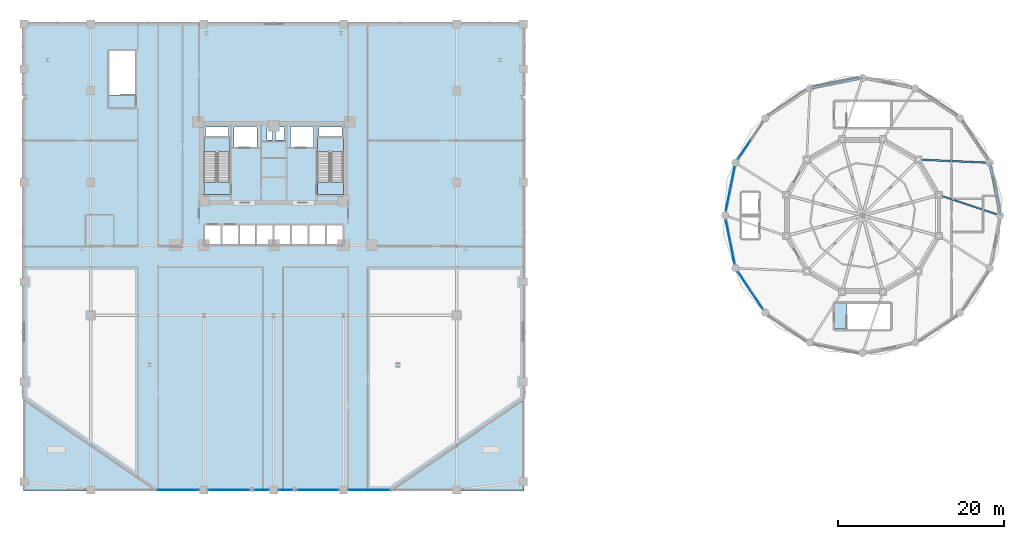
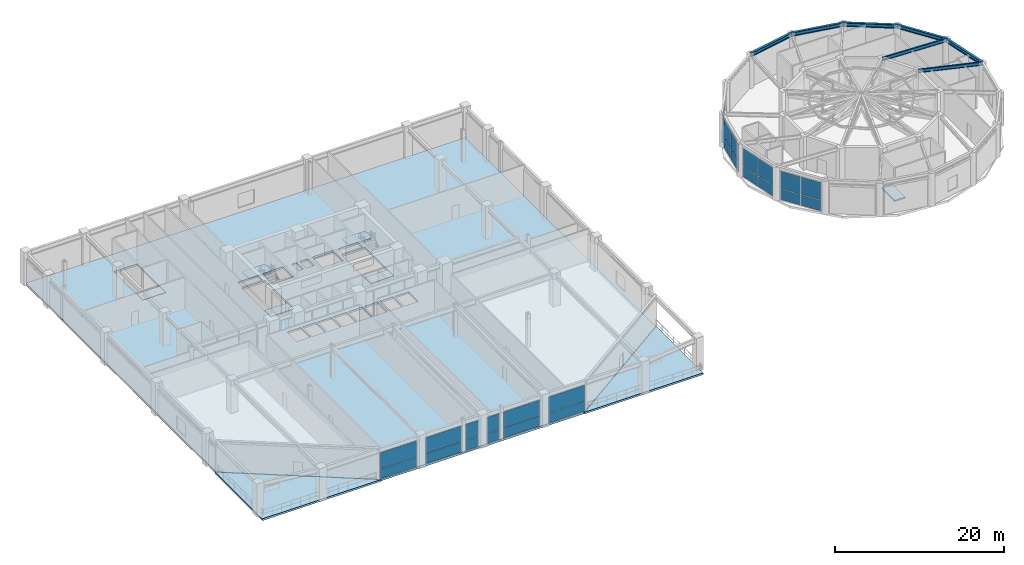
# One storey, part 13 of 26: 26 plates, 9 slabs, 7 beams, 12 elements without a shape of their own.
"""IFC4 building model written with IfcOpenShell, lengths in metres."""

from ifc_helpers import new_model, si_unit, derived_unit, direction, frame, origin, origin_2d, place, context, subcontext, project, spatial, polyline, rectangle, i_section, outline, extrude, source, transform, mapped, material, layer, layer_set, material_profile, profile_set, type_object, element, aggregate, save


model = new_model("IFC4")

# Units and contexts
model_context = context("Model", 3, precision=1e-05, world=origin(), true_north=direction((0.0, 1.0)))
body_context = subcontext(model_context, "Body", "Model", "MODEL_VIEW")
ifc_project = project(units=[si_unit("LENGTHUNIT", "METRE"), si_unit("AREAUNIT", "SQUARE_METRE"), si_unit("VOLUMEUNIT", "CUBIC_METRE"), si_unit("PLANEANGLEUNIT", "RADIAN"), si_unit("MASSUNIT", "GRAM", prefix="KILO"), derived_unit("THERMALTRANSMITTANCEUNIT", [(si_unit("POWERUNIT", "WATT"), 1), (si_unit("LENGTHUNIT", "METRE"), -2), (si_unit("THERMODYNAMICTEMPERATUREUNIT", "KELVIN"), -1)])], contexts=[model_context])

# Site, building, storey
site_placement = place(None, origin())
site = spatial("IfcSite", under=ifc_project, at=site_placement, CompositionType="ELEMENT")
building_placement = place(site_placement, origin())
building = spatial("IfcBuilding", under=site, at=building_placement, Name="Korsvarv Bourse and Concert Hall", CompositionType="ELEMENT")
storey_placement = place(building_placement, frame((0.0, 0.0, 19.199951171875)))
storey = spatial("IfcBuildingStorey", under=building, at=storey_placement, Name="L04", CompositionType="ELEMENT", Elevation=19.199951171875)

# Beams
ifc_material_1 = material(Name="Steel S355", Category="steel")
ifc_material_profile_1 = material_profile(ifc_material_1, i_section(OverallWidth=0.300048828125, OverallDepth=0.550048828125, WebThickness=0.014892578125, FlangeThickness=0.029052734375, FilletRadius=0.02392578125, at=origin_2d()), Name="HEB 550")
ifc_profile_set_1 = profile_set([ifc_material_profile_1], Name="Steel S355")
beam_type_1 = type_object("IfcBeamType", Name="BM-HEB550", PredefinedType="BEAM", material=ifc_profile_set_1)
shared_shape_1 = source(origin(), body_context, "Body", "SweptSolid", [
    extrude(i_section(OverallWidth=0.300048828125, OverallDepth=0.550048828125, WebThickness=0.014892578125, FlangeThickness=0.029052734375, FilletRadius=0.02392578125, at=origin_2d()), origin(), (0.0, 0.0, 1.0), 6.45751953125),
])
for number, where, z_axis, x_axis, name in (
    (1, (123.35009765625, 36.0, 4.525146484375), (-0.195119974887, 0.980779381615, 0.0), (-0.980779381615, -0.195119974887, 0.0), "L04 beam B-06"),
    (2, (106.800048828125, 52.550048828125, 4.525146484375), (-0.980786616034, -0.195083607229, 0.0), (0.195083607229, -0.980786616034, 0.0), "L04 beam B-06"),
):
    element("IfcBeam", number, at=place(storey_placement, frame(where, z_axis=z_axis, x_axis=x_axis)), inside=storey, type_object=beam_type_1, Name=name, PredefinedType="BEAM", context=body_context, shape_type="MappedRepresentation", body=[
        mapped(shared_shape_1, transform((0.0, 0.0, 0.0), scale=1.0)),
    ])
shared_shape_2 = source(origin(), body_context, "Body", "SweptSolid", [
    extrude(i_section(OverallWidth=0.300048828125, OverallDepth=0.550048828125, WebThickness=0.014892578125, FlangeThickness=0.029052734375, FilletRadius=0.02392578125, at=origin_2d()), origin(), (0.0, 0.0, 1.0), 6.457275390625),
])
for number, where, z_axis, x_axis, name in (
    (3, (122.090087890625, 42.33349609375, 4.525146484375), (-0.555554952257, 0.831479822379, 0.0), (-0.831479822379, -0.555554952257, 0.0), "L04 beam B-06"),
    (4, (113.13330078125, 51.290283203125, 4.525146484375), (-0.980785177113, 0.19509084129, 0.0), (-0.19509084129, -0.980785177113, 0.0), "L04 beam B-06"),
):
    element("IfcBeam", number, at=place(storey_placement, frame(where, z_axis=z_axis, x_axis=x_axis)), inside=storey, type_object=beam_type_1, Name=name, PredefinedType="BEAM", context=body_context, shape_type="MappedRepresentation", body=[
        mapped(shared_shape_2, transform((0.0, 0.0, 0.0), scale=1.0)),
    ])
shared_shape_3 = source(origin(), body_context, "Body", "SweptSolid", [
    extrude(i_section(OverallWidth=0.300048828125, OverallDepth=0.550048828125, WebThickness=0.014892578125, FlangeThickness=0.029052734375, FilletRadius=0.02392578125, at=origin_2d()), origin(), (0.0, 0.0, 1.0), 6.457763671875),
])
beam_1_placement = place(storey_placement, frame((118.502685546875, 47.70263671875, 4.525146484375), z_axis=(-0.831474026951, 0.555563625974, 0.0), x_axis=(-0.555563625974, -0.831474026951, 0.0)))
element("IfcBeam", 5, at=beam_1_placement, inside=storey, type_object=beam_type_1, Name="L04 beam B-06", PredefinedType="BEAM", context=body_context, shape_type="MappedRepresentation", body=[
    mapped(shared_shape_3, transform((0.0, 0.0, 0.0), scale=1.0)),
])
ifc_material_profile_2 = material_profile(ifc_material_1, i_section(OverallWidth=0.199951171875, OverallDepth=0.5, WebThickness=0.01025390625, FlangeThickness=0.01611328125, FilletRadius=0.02099609375, at=origin_2d()), Name="IPE 500")
ifc_profile_set_2 = profile_set([ifc_material_profile_2], Name="Steel S355")
beam_type_2 = type_object("IfcBeamType", Name="BM-IPE500", PredefinedType="JOIST", material=ifc_profile_set_2)
shared_shape_4 = source(origin(), body_context, "Body", "SweptSolid", [
    extrude(i_section(OverallWidth=0.199951171875, OverallDepth=0.5, WebThickness=0.01025390625, FlangeThickness=0.01611328125, FilletRadius=0.02099609375, at=origin_2d()), origin(), (0.0, 0.0, 1.0), 7.77294921875),
])
beam_2_placement = place(storey_placement, frame((115.976318359375, 38.458740234375, 4.550048828125), z_axis=(0.948651884177, -0.316321992039, 0.0), x_axis=(0.316321992039, 0.948651884177, 0.0)))
element("IfcBeam", 6, at=beam_2_placement, inside=storey, type_object=beam_type_2, Name="L04 beam J-03", PredefinedType="JOIST", context=body_context, shape_type="MappedRepresentation", body=[
    mapped(shared_shape_4, transform((0.0, 0.0, 0.0), scale=1.0)),
])
shared_shape_5 = source(origin(), body_context, "Body", "SweptSolid", [
    extrude(i_section(OverallWidth=0.199951171875, OverallDepth=0.5, WebThickness=0.01025390625, FlangeThickness=0.01611328125, FilletRadius=0.02099609375, at=origin_2d()), origin(), (0.0, 0.0, 1.0), 8.5810546875),
])
beam_3_placement = place(storey_placement, frame((113.517578125, 42.717529296875, 4.550048828125), z_axis=(0.998998067431, -0.044753338082, 0.0), x_axis=(0.044753338082, 0.998998067431, 0.0)))
element("IfcBeam", 7, at=beam_3_placement, inside=storey, type_object=beam_type_2, Name="L04 beam J-03", PredefinedType="JOIST", context=body_context, shape_type="MappedRepresentation", body=[
    mapped(shared_shape_5, transform((0.0, 0.0, 0.0), scale=1.0)),
])

# Slabs
ifc_material_2 = material(Name="Precast concrete C45/55", Category="concrete")
ifc_layer_1 = layer(ifc_material_2, 0.199951171875)
ifc_layer_set_1 = layer_set([ifc_layer_1], Name="Precast concrete C45/55")
slab_type_1 = type_object("IfcSlabType", Name="SLB-FLND-T", PredefinedType="LANDING", material=ifc_layer_set_1)
slab_1_placement = place(storey_placement, frame((0.0, 0.0, -0.199951171875)))
element("IfcSlab", 8, at=slab_1_placement, inside=storey, type_object=slab_type_1, Name="L04 Stair ST-T1 Floor Landing Slab", PredefinedType="LANDING", context=body_context, shape_type="SweptSolid", body=[
    extrude(outline(polyline([(30.760009765625, 38.5), (30.760009765625, 40.0), (27.60009765625, 40.0), (27.60009765625, 38.5), (30.760009765625, 38.5)])), origin(), (0.0, 0.0, 1.0), 0.199951171875),
])
slab_2_placement = place(storey_placement, frame((0.0, 0.0, -0.199951171875)))
element("IfcSlab", 9, at=slab_2_placement, inside=storey, type_object=slab_type_1, Name="L04 Stair ST-T2 Floor Landing Slab", PredefinedType="LANDING", context=body_context, shape_type="SweptSolid", body=[
    extrude(outline(polyline([(44.39990234375, 38.5), (44.39990234375, 40.0), (41.239990234375, 40.0), (41.239990234375, 38.5), (44.39990234375, 38.5)])), origin(), (0.0, 0.0, 1.0), 0.199951171875),
])
slab_3_placement = place(storey_placement, frame((0.0, 0.0, -0.199951171875)))
element("IfcSlab", 10, at=slab_3_placement, inside=storey, type_object=slab_type_1, Name="L04 Stair ST-PD1 Floor Landing Slab", PredefinedType="LANDING", context=body_context, shape_type="SweptSolid", body=[
    extrude(outline(polyline([(19.360107421875, 49.0), (19.360107421875, 50.5), (16.199951171875, 50.5), (16.199951171875, 49.0), (19.360107421875, 49.0)])), origin(), (0.0, 0.0, 1.0), 0.199951171875),
])
slab_4_placement = place(storey_placement, frame((0.0, 0.0, -0.199951171875)))
element("IfcSlab", 11, at=slab_4_placement, inside=storey, type_object=slab_type_1, Name="L04 Stair ST-CH2 Floor Landing Slab", PredefinedType="LANDING", context=body_context, shape_type="SweptSolid", body=[
    extrude(outline(polyline([(103.449951171875, 22.340087890625), (104.89990234375, 22.340087890625), (104.89990234375, 25.39990234375), (103.449951171875, 25.39990234375), (103.449951171875, 22.340087890625)])), origin(), (0.0, 0.0, 1.0), 0.199951171875),
])
ifc_material_3 = material(Name="Concrete C45/55", Category="concrete")
ifc_layer_2 = layer(ifc_material_3, 0.27001953125)
ifc_layer_set_2 = layer_set([ifc_layer_2], Name="Concrete C45/55")
slab_type_2 = type_object("IfcSlabType", Name="SLB-GDE", PredefinedType="FLOOR", material=ifc_layer_set_2)
slab_5_placement = place(storey_placement, frame((0.0, 0.0, -0.27001953125)))
element("IfcSlab", 12, at=slab_5_placement, inside=storey, type_object=slab_type_2, Name="L04 Raised Public Garden Terrace 1", PredefinedType="FLOOR", context=body_context, shape_type="SweptSolid", body=[
    extrude(outline(polyline([(5.89990234375, 14.10009765625), (5.989990234375, 14.10009765625), (5.989990234375, 14.0), (5.989990234375, 13.9990234375), (5.990234375, 13.998046875), (5.990478515625, 13.9970703125), (5.99072265625, 13.99609375), (5.9912109375, 13.995361328125), (5.99169921875, 13.994384765625), (5.9921875, 13.99365234375), (5.992919921875, 13.992919921875), (5.99365234375, 13.9921875), (5.994384765625, 13.99169921875), (21.994384765625, 2.99169921875), (21.9951171875, 2.9912109375), (21.99609375, 2.99072265625), (21.9970703125, 2.990478515625), (21.998046875, 2.990234375), (21.9990234375, 2.989990234375), (22.0, 2.989990234375), (22.10009765625, 2.989990234375), (22.10009765625, 2.89990234375), (5.89990234375, 2.89990234375), (5.89990234375, 14.10009765625)])), origin(), (0.0, 0.0, 1.0), 0.27001953125),
])
slab_6_placement = place(storey_placement, frame((0.0, 0.0, -0.27001953125)))
element("IfcSlab", 13, at=slab_6_placement, inside=storey, type_object=slab_type_2, Name="L04 Raised Public Garden Terrace 2", PredefinedType="FLOOR", context=body_context, shape_type="SweptSolid", body=[
    extrude(outline(polyline([(66.10009765625, 2.89990234375), (49.89990234375, 2.89990234375), (49.89990234375, 2.989990234375), (50.0, 2.989990234375), (50.0009765625, 2.989990234375), (50.001953125, 2.990234375), (50.0029296875, 2.990478515625), (50.00390625, 2.99072265625), (50.0048828125, 2.9912109375), (50.005615234375, 2.99169921875), (66.005615234375, 13.99169921875), (66.00634765625, 13.9921875), (66.007080078125, 13.992919921875), (66.0078125, 13.99365234375), (66.00830078125, 13.994384765625), (66.0087890625, 13.995361328125), (66.00927734375, 13.99609375), (66.009521484375, 13.9970703125), (66.009765625, 13.998046875), (66.010009765625, 13.9990234375), (66.010009765625, 14.0), (66.010009765625, 14.10009765625), (66.10009765625, 14.10009765625), (66.10009765625, 2.89990234375)])), origin(), (0.0, 0.0, 1.0), 0.27001953125),
])
ifc_layer_3 = layer(ifc_material_3, 0.280029296875)
ifc_layer_set_3 = layer_set([ifc_layer_3], Name="Concrete C45/55")
slab_type_3 = type_object("IfcSlabType", Name="SLB-PD1", PredefinedType="FLOOR", material=ifc_layer_set_3)
slab_7_placement = place(storey_placement, frame((0.0, 0.0, -0.280029296875)))
element("IfcSlab", 14, at=slab_7_placement, inside=storey, type_object=slab_type_3, Name="L04 exchange podium floor slab", PredefinedType="FLOOR", context=body_context, shape_type="SweptSolid", body=[
    extrude(outline(polyline([(6.0, 14.0), (22.0, 3.0), (50.0, 3.0), (66.0, 14.0), (66.0, 59.0), (6.0, 59.0), (6.0, 14.0)]), holes=[polyline([(30.760009765625, 38.5), (30.760009765625, 45.300048828125), (27.60009765625, 45.300048828125), (27.60009765625, 38.5), (30.760009765625, 38.5)]), polyline([(44.39990234375, 38.5), (44.39990234375, 45.300048828125), (41.239990234375, 45.300048828125), (41.239990234375, 38.5), (44.39990234375, 38.5)]), polyline([(19.360107421875, 49.0), (19.360107421875, 55.800048828125), (16.199951171875, 55.800048828125), (16.199951171875, 49.0), (19.360107421875, 49.0)]), polyline([(31.239990234375, 44.219970703125), (34.0, 44.219970703125), (34.0, 46.679931640625), (31.239990234375, 46.679931640625), (31.239990234375, 44.219970703125)]), polyline([(38.0, 44.219970703125), (40.760009765625, 44.219970703125), (40.760009765625, 46.679931640625), (38.0, 46.679931640625), (38.0, 44.219970703125)]), polyline([(27.719970703125, 32.52001953125), (29.580078125, 32.52001953125), (29.580078125, 34.780029296875), (27.719970703125, 34.780029296875), (27.719970703125, 32.52001953125)]), polyline([(29.820068359375, 32.52001953125), (31.679931640625, 32.52001953125), (31.679931640625, 34.780029296875), (29.820068359375, 34.780029296875), (29.820068359375, 32.52001953125)]), polyline([(31.919921875, 32.52001953125), (33.780029296875, 32.52001953125), (33.780029296875, 34.780029296875), (31.919921875, 34.780029296875), (31.919921875, 32.52001953125)]), polyline([(34.02001953125, 32.52001953125), (35.8798828125, 32.52001953125), (35.8798828125, 34.780029296875), (34.02001953125, 34.780029296875), (34.02001953125, 32.52001953125)]), polyline([(36.1201171875, 32.52001953125), (37.97998046875, 32.52001953125), (37.97998046875, 34.780029296875), (36.1201171875, 34.780029296875), (36.1201171875, 32.52001953125)]), polyline([(38.219970703125, 32.52001953125), (40.080078125, 32.52001953125), (40.080078125, 34.780029296875), (38.219970703125, 34.780029296875), (38.219970703125, 32.52001953125)]), polyline([(40.320068359375, 32.52001953125), (42.179931640625, 32.52001953125), (42.179931640625, 34.780029296875), (40.320068359375, 34.780029296875), (40.320068359375, 32.52001953125)]), polyline([(42.419921875, 32.52001953125), (44.280029296875, 32.52001953125), (44.280029296875, 34.780029296875), (42.419921875, 34.780029296875), (42.419921875, 32.52001953125)]), polyline([(27.800048828125, 45.56005859375), (30.56005859375, 45.56005859375), (30.56005859375, 46.6201171875), (27.800048828125, 46.6201171875), (27.800048828125, 45.56005859375)]), polyline([(41.43994140625, 45.56005859375), (44.199951171875, 45.56005859375), (44.199951171875, 46.6201171875), (41.43994140625, 46.6201171875), (41.43994140625, 45.56005859375)]), polyline([(35.199951171875, 45.080078125), (35.840087890625, 45.080078125), (35.840087890625, 46.6201171875), (35.199951171875, 46.6201171875), (35.199951171875, 45.080078125)]), polyline([(36.239990234375, 45.080078125), (37.320068359375, 45.080078125), (37.320068359375, 46.6201171875), (36.239990234375, 46.6201171875), (36.239990234375, 45.080078125)])]), origin(), (0.0, 0.0, 1.0), 0.280029296875),
])

# Stair, slab
stair_type = type_object("IfcStairType", Name="STR-TYPE-02", PredefinedType="HALF_TURN_STAIR", material=ifc_material_2)
stair_1_placement = place(storey_placement, origin())
stair_1 = element("IfcStair", 15, at=stair_1_placement, inside=storey, type_object=stair_type, Name="L04 Tower West Exit Stair ST-T1", PredefinedType="HALF_TURN_STAIR")
ifc_layer_4 = layer(ifc_material_2, 0.199951171875)
ifc_layer_set_4 = layer_set([ifc_layer_4], Name="Precast concrete C45/55")
slab_type_4 = type_object("IfcSlabType", Name="SLB-ST-LND", PredefinedType="LANDING", material=ifc_layer_set_4)
slab_8_placement = place(storey_placement, frame((0.0, 0.0, 2.199951171875)))
slab_8 = element("IfcSlab", 16, at=slab_8_placement, type_object=slab_type_4, Name="ST-T1 landing 1", PredefinedType="LANDING", context=body_context, shape_type="SweptSolid", body=[
    extrude(outline(polyline([(30.760009765625, 43.639892578125), (30.760009765625, 45.300048828125), (27.60009765625, 45.300048828125), (27.60009765625, 43.639892578125), (30.760009765625, 43.639892578125)])), origin(), (0.0, 0.0, 1.0), 0.2001953125),
])
aggregate(stair_1, [slab_8])

stair_2_placement = place(storey_placement, origin())
stair_2 = element("IfcStair", 17, at=stair_2_placement, inside=storey, type_object=stair_type, Name="L04 Tower East Exit Stair ST-T2", PredefinedType="HALF_TURN_STAIR")
slab_9_placement = place(storey_placement, frame((0.0, 0.0, 2.199951171875)))
slab_9 = element("IfcSlab", 18, at=slab_9_placement, type_object=slab_type_4, Name="ST-T2 landing 1", PredefinedType="LANDING", context=body_context, shape_type="SweptSolid", body=[
    extrude(outline(polyline([(44.39990234375, 43.639892578125), (44.39990234375, 45.300048828125), (41.239990234375, 45.300048828125), (41.239990234375, 43.639892578125), (44.39990234375, 43.639892578125)])), origin(), (0.0, 0.0, 1.0), 0.2001953125),
])
aggregate(stair_2, [slab_9])

# Curtain wall, plate
ifc_material_4 = material(Name="Anodised aluminium and triple low-E glazing", Category="glass")
ifc_layer_5 = layer(ifc_material_4, 0.239990234375)
ifc_layer_set_5 = layer_set([ifc_layer_5], Name="Anodised aluminium and triple low-E glazing")
curtain_wall_type_1 = type_object("IfcCurtainWallType", Name="CW-SYS-5", PredefinedType="NOTDEFINED", material=ifc_layer_set_5)
curtain_wall_1_placement = place(storey_placement, origin())
curtain_wall_1 = element("IfcCurtainWall", 19, at=curtain_wall_1_placement, inside=storey, type_object=curtain_wall_type_1, Name="L04 CW5 curtain wall CW-L04-G2-1", PredefinedType="NOTDEFINED")
ifc_material_5 = material(Name="Tempered triple insulated low-E architectural glass", Category="glass")
ifc_layer_6 = layer(ifc_material_5, 0.035888671875)
ifc_layer_set_6 = layer_set([ifc_layer_6], Name="Tempered triple insulated low-E architectural glass")
plate_type_1 = type_object("IfcPlateType", Name="CWP-VIS1", PredefinedType="CURTAIN_PANEL", material=ifc_layer_set_6)
shared_shape_6 = source(origin(), body_context, "Body", "SweptSolid", [
    extrude(rectangle(XDim=4.909912109375, YDim=0.035888671875, at=origin_2d()), origin(), (0.0, 0.0, 1.0), 1.376953125),
])
plate_1_placement = place(storey_placement, frame((24.52490234375, 3.0, 0.06494140625), z_axis=(0.0, 0.0, 1.0), x_axis=(1.0, 0.0, 0.0)))
plate_1 = element("IfcPlate", 20, at=plate_1_placement, type_object=plate_type_1, Name="CW5 panel 1.1", PredefinedType="CURTAIN_PANEL", context=body_context, shape_type="MappedRepresentation", body=[
    mapped(shared_shape_6, transform((0.0, 0.0, 0.0), scale=1.0)),
])

curtain_wall_2_placement = place(storey_placement, origin())
curtain_wall_2 = element("IfcCurtainWall", 21, at=curtain_wall_2_placement, inside=storey, type_object=curtain_wall_type_1, Name="L04 CW5 curtain wall CW-L04-G2-6", PredefinedType="NOTDEFINED")
plate_2_placement = place(storey_placement, frame((47.47509765625, 3.0, 0.06494140625), z_axis=(0.0, 0.0, 1.0), x_axis=(1.0, 0.0, 0.0)))
plate_2 = element("IfcPlate", 22, at=plate_2_placement, type_object=plate_type_1, Name="CW5 panel 1.1", PredefinedType="CURTAIN_PANEL", context=body_context, shape_type="MappedRepresentation", body=[
    mapped(shared_shape_6, transform((0.0, 0.0, 0.0), scale=1.0)),
])

# Plate
shared_shape_7 = source(origin(), body_context, "Body", "SweptSolid", [
    extrude(rectangle(XDim=4.909912109375, YDim=0.035888671875, at=origin_2d()), origin(), (0.0, 0.0, 1.0), 2.30810546875),
])
plate_3_placement = place(storey_placement, frame((24.52490234375, 3.0, 1.5068359375), z_axis=(0.0, 0.0, 1.0), x_axis=(1.0, 0.0, 0.0)))
plate_3 = element("IfcPlate", 23, at=plate_3_placement, type_object=plate_type_1, Name="CW5 panel 1.2", PredefinedType="CURTAIN_PANEL", context=body_context, shape_type="MappedRepresentation", body=[
    mapped(shared_shape_7, transform((0.0, 0.0, 0.0), scale=1.0)),
])

aggregate(curtain_wall_1, [plate_1, plate_3])

plate_4_placement = place(storey_placement, frame((47.47509765625, 3.0, 1.5068359375), z_axis=(0.0, 0.0, 1.0), x_axis=(1.0, 0.0, 0.0)))
plate_4 = element("IfcPlate", 24, at=plate_4_placement, type_object=plate_type_1, Name="CW5 panel 1.2", PredefinedType="CURTAIN_PANEL", context=body_context, shape_type="MappedRepresentation", body=[
    mapped(shared_shape_7, transform((0.0, 0.0, 0.0), scale=1.0)),
])

aggregate(curtain_wall_2, [plate_2, plate_4])

# Curtain wall, plate
curtain_wall_3_placement = place(storey_placement, origin())
curtain_wall_3 = element("IfcCurtainWall", 25, at=curtain_wall_3_placement, inside=storey, type_object=curtain_wall_type_1, Name="L04 CW5 curtain wall CW-L04-G2-2", PredefinedType="NOTDEFINED")
shared_shape_8 = source(origin(), body_context, "Body", "SweptSolid", [
    extrude(rectangle(XDim=4.8662109375, YDim=0.035888671875, at=origin_2d()), origin(), (0.0, 0.0, 1.0), 1.376953125),
])
plate_5_placement = place(storey_placement, frame((30.653076171875, 3.0, 0.06494140625), z_axis=(0.0, 0.0, 1.0), x_axis=(1.0, 0.0, 0.0)))
plate_5 = element("IfcPlate", 26, at=plate_5_placement, type_object=plate_type_1, Name="CW5 panel 1.1", PredefinedType="CURTAIN_PANEL", context=body_context, shape_type="MappedRepresentation", body=[
    mapped(shared_shape_8, transform((0.0, 0.0, 0.0), scale=1.0)),
])

curtain_wall_4_placement = place(storey_placement, origin())
curtain_wall_4 = element("IfcCurtainWall", 27, at=curtain_wall_4_placement, inside=storey, type_object=curtain_wall_type_1, Name="L04 CW5 curtain wall CW-L04-G2-5", PredefinedType="NOTDEFINED")
plate_6_placement = place(storey_placement, frame((41.346923828125, 3.0, 0.06494140625), z_axis=(0.0, 0.0, 1.0), x_axis=(1.0, 0.0, 0.0)))
plate_6 = element("IfcPlate", 28, at=plate_6_placement, type_object=plate_type_1, Name="CW5 panel 1.1", PredefinedType="CURTAIN_PANEL", context=body_context, shape_type="MappedRepresentation", body=[
    mapped(shared_shape_8, transform((0.0, 0.0, 0.0), scale=1.0)),
])

# Plate
shared_shape_9 = source(origin(), body_context, "Body", "SweptSolid", [
    extrude(rectangle(XDim=4.8662109375, YDim=0.035888671875, at=origin_2d()), origin(), (0.0, 0.0, 1.0), 2.30810546875),
])
plate_7_placement = place(storey_placement, frame((30.653076171875, 3.0, 1.5068359375), z_axis=(0.0, 0.0, 1.0), x_axis=(1.0, 0.0, 0.0)))
plate_7 = element("IfcPlate", 29, at=plate_7_placement, type_object=plate_type_1, Name="CW5 panel 1.2", PredefinedType="CURTAIN_PANEL", context=body_context, shape_type="MappedRepresentation", body=[
    mapped(shared_shape_9, transform((0.0, 0.0, 0.0), scale=1.0)),
])

aggregate(curtain_wall_3, [plate_5, plate_7])

plate_8_placement = place(storey_placement, frame((41.346923828125, 3.0, 1.5068359375), z_axis=(0.0, 0.0, 1.0), x_axis=(1.0, 0.0, 0.0)))
plate_8 = element("IfcPlate", 30, at=plate_8_placement, type_object=plate_type_1, Name="CW5 panel 1.2", PredefinedType="CURTAIN_PANEL", context=body_context, shape_type="MappedRepresentation", body=[
    mapped(shared_shape_9, transform((0.0, 0.0, 0.0), scale=1.0)),
])

aggregate(curtain_wall_4, [plate_6, plate_8])

# Curtain wall, plate
curtain_wall_5_placement = place(storey_placement, origin())
curtain_wall_5 = element("IfcCurtainWall", 31, at=curtain_wall_5_placement, inside=storey, type_object=curtain_wall_type_1, Name="L04 CW5 curtain wall CW-L04-G2-3", PredefinedType="NOTDEFINED")
shared_shape_10 = source(origin(), body_context, "Body", "SweptSolid", [
    extrude(rectangle(XDim=1.6298828125, YDim=0.035888671875, at=origin_2d()), origin(), (0.0, 0.0, 1.0), 1.376953125),
])
plate_9_placement = place(storey_placement, frame((34.56494140625, 3.0, 0.06494140625), z_axis=(0.0, 0.0, 1.0), x_axis=(1.0, 0.0, 0.0)))
plate_9 = element("IfcPlate", 32, at=plate_9_placement, type_object=plate_type_1, Name="CW5 panel 1.1", PredefinedType="CURTAIN_PANEL", context=body_context, shape_type="MappedRepresentation", body=[
    mapped(shared_shape_10, transform((0.0, 0.0, 0.0), scale=1.0)),
])

curtain_wall_6_placement = place(storey_placement, origin())
curtain_wall_6 = element("IfcCurtainWall", 33, at=curtain_wall_6_placement, inside=storey, type_object=curtain_wall_type_1, Name="L04 CW5 curtain wall CW-L04-G2-4", PredefinedType="NOTDEFINED")
plate_10_placement = place(storey_placement, frame((37.43505859375, 3.0, 0.06494140625), z_axis=(0.0, 0.0, 1.0), x_axis=(1.0, 0.0, 0.0)))
plate_10 = element("IfcPlate", 34, at=plate_10_placement, type_object=plate_type_1, Name="CW5 panel 1.1", PredefinedType="CURTAIN_PANEL", context=body_context, shape_type="MappedRepresentation", body=[
    mapped(shared_shape_10, transform((0.0, 0.0, 0.0), scale=1.0)),
])

# Plate
shared_shape_11 = source(origin(), body_context, "Body", "SweptSolid", [
    extrude(rectangle(XDim=1.6298828125, YDim=0.035888671875, at=origin_2d()), origin(), (0.0, 0.0, 1.0), 2.30810546875),
])
plate_11_placement = place(storey_placement, frame((34.56494140625, 3.0, 1.5068359375), z_axis=(0.0, 0.0, 1.0), x_axis=(1.0, 0.0, 0.0)))
plate_11 = element("IfcPlate", 35, at=plate_11_placement, type_object=plate_type_1, Name="CW5 panel 1.2", PredefinedType="CURTAIN_PANEL", context=body_context, shape_type="MappedRepresentation", body=[
    mapped(shared_shape_11, transform((0.0, 0.0, 0.0), scale=1.0)),
])

aggregate(curtain_wall_5, [plate_9, plate_11])

plate_12_placement = place(storey_placement, frame((37.43505859375, 3.0, 1.5068359375), z_axis=(0.0, 0.0, 1.0), x_axis=(1.0, 0.0, 0.0)))
plate_12 = element("IfcPlate", 36, at=plate_12_placement, type_object=plate_type_1, Name="CW5 panel 1.2", PredefinedType="CURTAIN_PANEL", context=body_context, shape_type="MappedRepresentation", body=[
    mapped(shared_shape_11, transform((0.0, 0.0, 0.0), scale=1.0)),
])

aggregate(curtain_wall_6, [plate_10, plate_12])

# Curtain wall, plate
ifc_layer_7 = layer(ifc_material_4, 0.22998046875)
ifc_layer_set_7 = layer_set([ifc_layer_7], Name="Anodised aluminium and triple low-E glazing")
curtain_wall_type_2 = type_object("IfcCurtainWallType", Name="CW-SYS-6", PredefinedType="NOTDEFINED", material=ifc_layer_set_7)
curtain_wall_7_placement = place(storey_placement, origin())
curtain_wall_7 = element("IfcCurtainWall", 37, at=curtain_wall_7_placement, inside=storey, type_object=curtain_wall_type_2, Name="L04 CW6 curtain wall CW-L04-CH07", PredefinedType="NOTDEFINED")
ifc_layer_8 = layer(ifc_material_5, 0.0380859375)
ifc_layer_set_8 = layer_set([ifc_layer_8], Name="Tempered triple insulated low-E architectural glass")
plate_type_2 = type_object("IfcPlateType", Name="CWP-VIS2", PredefinedType="CURTAIN_PANEL", material=ifc_layer_set_8)
shared_shape_12 = source(origin(), body_context, "Body", "SweptSolid", [
    extrude(rectangle(XDim=2.62353515625, YDim=0.0380859375, at=origin_2d()), origin(), (0.0, 0.0, 1.0), 1.517578125),
])
plate_13_placement = place(storey_placement, frame((92.555419921875, 43.898193359375, 0.06494140625), z_axis=(0.0, 0.0, 1.0), x_axis=(-0.555571024599, -0.831469083386, 0.0)))
plate_13 = element("IfcPlate", 38, at=plate_13_placement, type_object=plate_type_2, Name="CW6 panel 2.1", PredefinedType="CURTAIN_PANEL", context=body_context, shape_type="MappedRepresentation", body=[
    mapped(shared_shape_12, transform((0.0, 0.0, 0.0), scale=1.0)),
])

# Curtain wall, plates
curtain_wall_8_placement = place(storey_placement, origin())
curtain_wall_8 = element("IfcCurtainWall", 39, at=curtain_wall_8_placement, inside=storey, type_object=curtain_wall_type_2, Name="L04 CW6 curtain wall CW-L04-CH08", PredefinedType="NOTDEFINED")
plate_14_placement = place(storey_placement, frame((91.142578125, 40.487548828125, 0.06494140625), z_axis=(0.0, 0.0, 1.0), x_axis=(-0.195087012862, -0.980785938629, 0.0)))
plate_14 = element("IfcPlate", 40, at=plate_14_placement, type_object=plate_type_2, Name="CW6 panel 1.1", PredefinedType="CURTAIN_PANEL", context=body_context, shape_type="MappedRepresentation", body=[
    mapped(shared_shape_12, transform((0.0, 0.0, 0.0), scale=1.0)),
])
plate_15_placement = place(storey_placement, frame((90.6171875, 37.845703125, 0.06494140625), z_axis=(0.0, 0.0, 1.0), x_axis=(-0.195087012862, -0.980785938629, 0.0)))
plate_15 = element("IfcPlate", 41, at=plate_15_placement, type_object=plate_type_2, Name="CW6 panel 2.1", PredefinedType="CURTAIN_PANEL", context=body_context, shape_type="MappedRepresentation", body=[
    mapped(shared_shape_12, transform((0.0, 0.0, 0.0), scale=1.0)),
])

curtain_wall_9_placement = place(storey_placement, origin())
curtain_wall_9 = element("IfcCurtainWall", 42, at=curtain_wall_9_placement, inside=storey, type_object=curtain_wall_type_2, Name="L04 CW6 curtain wall CW-L04-CH09", PredefinedType="NOTDEFINED")
plate_16_placement = place(storey_placement, frame((90.6171875, 34.154296875, 0.06494140625), z_axis=(0.0, 0.0, 1.0), x_axis=(0.195087012862, -0.980785938629, 0.0)))
plate_16 = element("IfcPlate", 43, at=plate_16_placement, type_object=plate_type_2, Name="CW6 panel 1.1", PredefinedType="CURTAIN_PANEL", context=body_context, shape_type="MappedRepresentation", body=[
    mapped(shared_shape_12, transform((0.0, 0.0, 0.0), scale=1.0)),
])
plate_17_placement = place(storey_placement, frame((91.142578125, 31.512451171875, 0.06494140625), z_axis=(0.0, 0.0, 1.0), x_axis=(0.195087012862, -0.980785938629, 0.0)))
plate_17 = element("IfcPlate", 44, at=plate_17_placement, type_object=plate_type_2, Name="CW6 panel 2.1", PredefinedType="CURTAIN_PANEL", context=body_context, shape_type="MappedRepresentation", body=[
    mapped(shared_shape_12, transform((0.0, 0.0, 0.0), scale=1.0)),
])

curtain_wall_10_placement = place(storey_placement, origin())
curtain_wall_10 = element("IfcCurtainWall", 45, at=curtain_wall_10_placement, inside=storey, type_object=curtain_wall_type_2, Name="L04 CW6 curtain wall CW-L04-CH10", PredefinedType="NOTDEFINED")
plate_18_placement = place(storey_placement, frame((92.555419921875, 28.101806640625, 0.06494140625), z_axis=(0.0, 0.0, 1.0), x_axis=(0.555571024599, -0.831469083386, 0.0)))
plate_18 = element("IfcPlate", 46, at=plate_18_placement, type_object=plate_type_2, Name="CW6 panel 1.1", PredefinedType="CURTAIN_PANEL", context=body_context, shape_type="MappedRepresentation", body=[
    mapped(shared_shape_12, transform((0.0, 0.0, 0.0), scale=1.0)),
])
plate_19_placement = place(storey_placement, frame((94.0517578125, 25.8623046875, 0.06494140625), z_axis=(0.0, 0.0, 1.0), x_axis=(0.555571024599, -0.831469083386, 0.0)))
plate_19 = element("IfcPlate", 47, at=plate_19_placement, type_object=plate_type_2, Name="CW6 panel 2.1", PredefinedType="CURTAIN_PANEL", context=body_context, shape_type="MappedRepresentation", body=[
    mapped(shared_shape_12, transform((0.0, 0.0, 0.0), scale=1.0)),
])

# Plate
shared_shape_13 = source(origin(), body_context, "Body", "SweptSolid", [
    extrude(rectangle(XDim=2.62353515625, YDim=0.0380859375, at=origin_2d()), origin(), (0.0, 0.0, 1.0), 2.53759765625),
])
plate_20_placement = place(storey_placement, frame((92.555419921875, 43.898193359375, 1.6474609375), z_axis=(0.0, 0.0, 1.0), x_axis=(-0.555571024599, -0.831469083386, 0.0)))
plate_20 = element("IfcPlate", 48, at=plate_20_placement, type_object=plate_type_2, Name="CW6 panel 2.2", PredefinedType="CURTAIN_PANEL", context=body_context, shape_type="MappedRepresentation", body=[
    mapped(shared_shape_13, transform((0.0, 0.0, 0.0), scale=1.0)),
])

aggregate(curtain_wall_7, [plate_13, plate_20])

plate_21_placement = place(storey_placement, frame((91.142578125, 40.487548828125, 1.6474609375), z_axis=(0.0, 0.0, 1.0), x_axis=(-0.195087012862, -0.980785938629, 0.0)))
plate_21 = element("IfcPlate", 49, at=plate_21_placement, type_object=plate_type_2, Name="CW6 panel 1.2", PredefinedType="CURTAIN_PANEL", context=body_context, shape_type="MappedRepresentation", body=[
    mapped(shared_shape_13, transform((0.0, 0.0, 0.0), scale=1.0)),
])

plate_22_placement = place(storey_placement, frame((90.6171875, 37.845703125, 1.6474609375), z_axis=(0.0, 0.0, 1.0), x_axis=(-0.195087012862, -0.980785938629, 0.0)))
plate_22 = element("IfcPlate", 50, at=plate_22_placement, type_object=plate_type_2, Name="CW6 panel 2.2", PredefinedType="CURTAIN_PANEL", context=body_context, shape_type="MappedRepresentation", body=[
    mapped(shared_shape_13, transform((0.0, 0.0, 0.0), scale=1.0)),
])

aggregate(curtain_wall_8, [plate_14, plate_21, plate_15, plate_22])

plate_23_placement = place(storey_placement, frame((90.6171875, 34.154296875, 1.6474609375), z_axis=(0.0, 0.0, 1.0), x_axis=(0.195087012862, -0.980785938629, 0.0)))
plate_23 = element("IfcPlate", 51, at=plate_23_placement, type_object=plate_type_2, Name="CW6 panel 1.2", PredefinedType="CURTAIN_PANEL", context=body_context, shape_type="MappedRepresentation", body=[
    mapped(shared_shape_13, transform((0.0, 0.0, 0.0), scale=1.0)),
])

plate_24_placement = place(storey_placement, frame((91.142578125, 31.512451171875, 1.6474609375), z_axis=(0.0, 0.0, 1.0), x_axis=(0.195087012862, -0.980785938629, 0.0)))
plate_24 = element("IfcPlate", 52, at=plate_24_placement, type_object=plate_type_2, Name="CW6 panel 2.2", PredefinedType="CURTAIN_PANEL", context=body_context, shape_type="MappedRepresentation", body=[
    mapped(shared_shape_13, transform((0.0, 0.0, 0.0), scale=1.0)),
])

aggregate(curtain_wall_9, [plate_16, plate_23, plate_17, plate_24])

plate_25_placement = place(storey_placement, frame((92.555419921875, 28.101806640625, 1.6474609375), z_axis=(0.0, 0.0, 1.0), x_axis=(0.555571024599, -0.831469083386, 0.0)))
plate_25 = element("IfcPlate", 53, at=plate_25_placement, type_object=plate_type_2, Name="CW6 panel 1.2", PredefinedType="CURTAIN_PANEL", context=body_context, shape_type="MappedRepresentation", body=[
    mapped(shared_shape_13, transform((0.0, 0.0, 0.0), scale=1.0)),
])

plate_26_placement = place(storey_placement, frame((94.0517578125, 25.8623046875, 1.6474609375), z_axis=(0.0, 0.0, 1.0), x_axis=(0.555571024599, -0.831469083386, 0.0)))
plate_26 = element("IfcPlate", 54, at=plate_26_placement, type_object=plate_type_2, Name="CW6 panel 2.2", PredefinedType="CURTAIN_PANEL", context=body_context, shape_type="MappedRepresentation", body=[
    mapped(shared_shape_13, transform((0.0, 0.0, 0.0), scale=1.0)),
])

aggregate(curtain_wall_10, [plate_18, plate_25, plate_19, plate_26])

save(model, "model.ifc")
